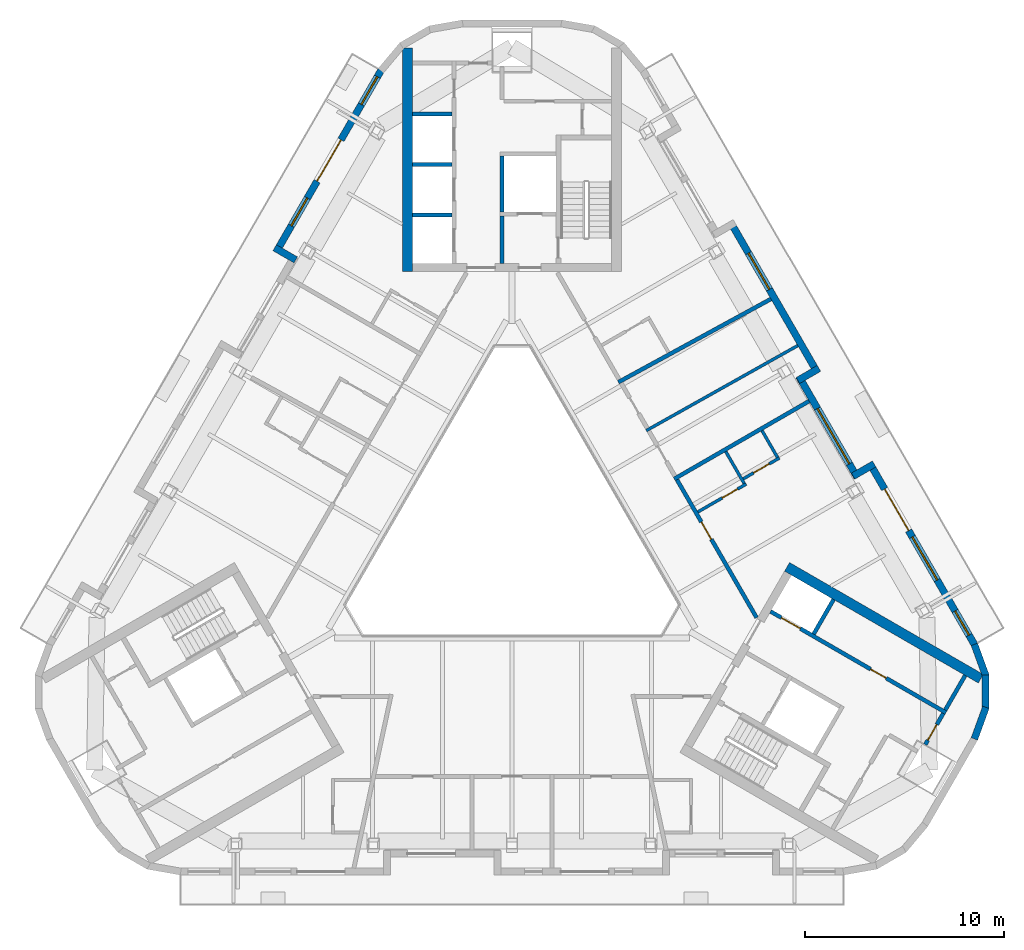
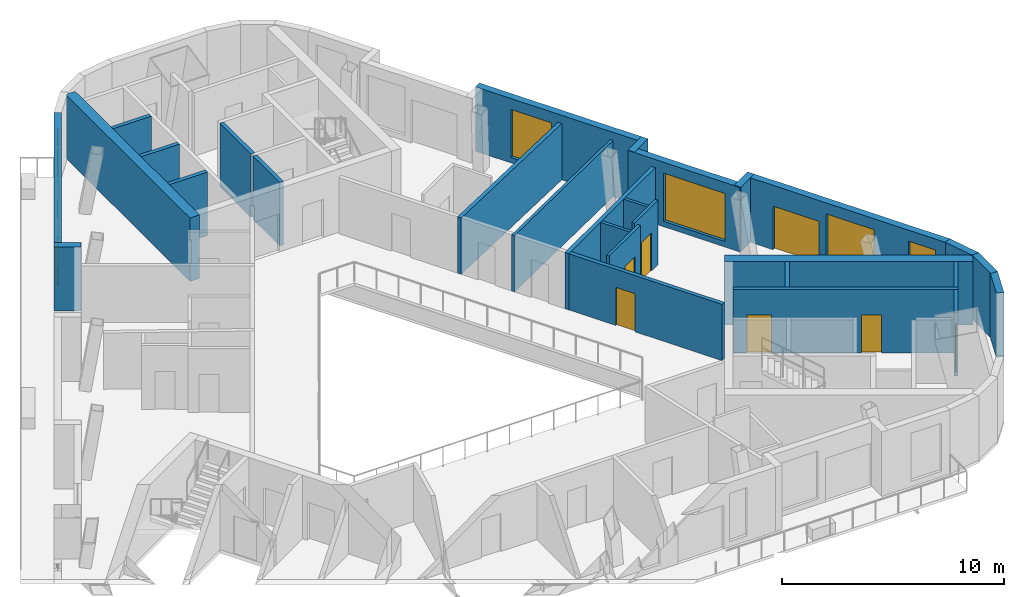
# One storey, part 6 of 13: 29 walls, 8 doors, 6 windows, 14 openings.
"""IFC4 building model written with IfcOpenShell, lengths in metres."""

from ifc_helpers import new_model, si_unit, direction, frame, frame_2d, origin, place, context, subcontext, project, spatial, rectangle, extrude, material, layer, layer_set, type_object, element, fill, save


model = new_model("IFC4")

# Units and contexts
model_context = context("Model", 3, precision=1e-05, world=origin(), true_north=direction((0.0, 1.0)))
body_context = subcontext(model_context, "Body", "Model", "MODEL_VIEW")
ifc_project = project(units=[si_unit("LENGTHUNIT", "METRE"), si_unit("AREAUNIT", "SQUARE_METRE"), si_unit("VOLUMEUNIT", "CUBIC_METRE"), si_unit("PLANEANGLEUNIT", "RADIAN"), si_unit("MASSUNIT", "GRAM", prefix="KILO")], contexts=[model_context])

# Site, building, storey
site_placement = place(None, origin())
site = spatial("IfcSite", under=ifc_project, at=site_placement, CompositionType="ELEMENT")
building_placement = place(site_placement, origin())
building = spatial("IfcBuilding", under=site, at=building_placement, Name="Apuvela Tower Hotel", CompositionType="ELEMENT")
storey_placement = place(building_placement, frame((0.0, 0.0, 298.5)))
storey = spatial("IfcBuildingStorey", under=building, at=storey_placement, Name="L74", CompositionType="ELEMENT", Elevation=298.5)

# Walls
ifc_material_1 = material(Name="Concrete C50/60", Category="concrete")
ifc_layer_1 = layer(ifc_material_1, 0.5)
ifc_layer_set_1 = layer_set([ifc_layer_1], Name="COR-WALL-CORE-500")
wall_type_1 = type_object("IfcWallType", Name="COR-WALL-CORE-500", PredefinedType="SHEAR", material=ifc_layer_set_1)
for number, where, z_axis, x_axis, name in (
    (1, (-5.25, 12.89990234375, 0.0), (0.0, 0.0, 1.0), (0.0, 1.0, 0.0), "Core wall N"),
    (2, (13.796630859375, -1.9033203125, 0.0), (0.0, 0.0, 1.0), (0.866025449148, -0.499999921427, 0.0), "Core wall SE"),
):
    element("IfcWall", number, at=place(storey_placement, frame(where, z_axis=z_axis, x_axis=x_axis)), inside=storey, type_object=wall_type_1, Name=name, PredefinedType="SHEAR", context=body_context, shape_type="SweptSolid", body=[
        extrude(rectangle(XDim=11.2216796875, YDim=0.5, at=frame_2d((5.61083984375, 0.0))), origin(), (0.0, 0.0, 1.0), 3.5),
    ])
ifc_layer_2 = layer(ifc_material_1, 0.199951171875)
ifc_layer_set_2 = layer_set([ifc_layer_2], Name="COR-WALL-SHAFT-200")
wall_type_2 = type_object("IfcWallType", Name="COR-WALL-SHAFT-200", PredefinedType="SHEAR", material=ifc_layer_set_2)
wall_1_placement = place(storey_placement, frame((-0.5, 15.89990234375, 0.0), z_axis=(0.0, 0.0, 1.0), x_axis=(0.0, 1.0, 0.0)))
element("IfcWall", 3, at=wall_1_placement, inside=storey, type_object=wall_type_2, Name="Shaft wall N", PredefinedType="SHEAR", context=body_context, shape_type="SweptSolid", body=[
    extrude(rectangle(XDim=2.800048828125, YDim=0.199951171875, at=frame_2d((1.39990234375, 0.0))), origin(), (0.0, 0.0, 1.0), 3.5),
])
wall_2_placement = place(storey_placement, frame((-0.5, 13.300048828125, 0.0), z_axis=(0.0, 0.0, 1.0), x_axis=(0.0, 1.0, 0.0)))
element("IfcWall", 4, at=wall_2_placement, inside=storey, type_object=wall_type_2, Name="Shaft wall N", PredefinedType="SHEAR", context=body_context, shape_type="SweptSolid", body=[
    extrude(rectangle(XDim=2.39990234375, YDim=0.199951171875, at=frame_2d((1.199951171875, 0.0))), origin(), (0.0, 0.0, 1.0), 3.5),
])
for number, where, z_axis, x_axis, name in (
    (5, (-3.0, 15.739990234375, 0.0), (0.0, 0.0, 1.0), (-1.0, 0.0, 0.0), "Shaft wall N"),
    (6, (-3.0, 18.280029296875, 0.0), (0.0, 0.0, 1.0), (-1.0, 0.0, 0.0), "Shaft wall N"),
    (7, (-3.0, 20.820068359375, 0.0), (0.0, 0.0, 1.0), (-1.0, 0.0, 0.0), "Shaft wall N"),
):
    element("IfcWall", number, at=place(storey_placement, frame(where, z_axis=z_axis, x_axis=x_axis)), inside=storey, type_object=wall_type_2, Name=name, PredefinedType="SHEAR", context=body_context, shape_type="SweptSolid", body=[
        extrude(rectangle(XDim=2.0, YDim=0.199951171875, at=frame_2d((1.0, 0.0))), origin(), (0.0, 0.0, 1.0), 3.5),
    ])

# Wall, openings, doors
wall_3_placement = place(storey_placement, frame((12.968017578125, -4.138427734375, 0.0), z_axis=(0.0, 0.0, 1.0), x_axis=(0.866028328073, -0.49999493495, 0.0)))
wall_3 = element("IfcWall", 8, at=wall_3_placement, inside=storey, type_object=wall_type_2, Name="Shaft wall SE", PredefinedType="SHEAR", context=body_context, shape_type="SweptSolid", body=[
    extrude(rectangle(XDim=10.16015625, YDim=0.199951171875, at=frame_2d((5.080078125, 0.0))), origin(), (0.0, 0.0, 1.0), 3.5),
])
opening_1_placement = place(wall_3_placement, frame((0.6201171875, 0.0, 0.0)))
opening_1 = element("IfcOpeningElement", 9, at=opening_1_placement, cuts=wall_3, Name="Opening E-LD-HR3", PredefinedType="OPENING", context=body_context, shape_type="SweptSolid", body=[
    extrude(rectangle(XDim=1.10009765625, YDim=2.10009765625, at=frame_2d((0.550048828125, 1.050048828125))), frame((0.0, 0.10986328125, 0.0), z_axis=(0.0, -1.0, 0.0), x_axis=(1.0, 0.0, 0.0)), (0.0, 0.0, 1.0), 0.219970703125),
])
opening_2_placement = place(wall_3_placement, frame((5.800048828125, 0.0, 0.0)))
opening_2 = element("IfcOpeningElement", 10, at=opening_2_placement, cuts=wall_3, Name="Opening E-RE2", PredefinedType="OPENING", context=body_context, shape_type="SweptSolid", body=[
    extrude(rectangle(XDim=0.89990234375, YDim=2.10009765625, at=frame_2d((0.449951171875, 1.050048828125))), frame((0.0, 0.10986328125, 0.0), z_axis=(0.0, -1.0, 0.0), x_axis=(1.0, 0.0, 0.0)), (0.0, 0.0, 1.0), 0.219970703125),
])
ifc_material_2 = material(Name="Steel fire door, powder coated", Category="steel")
door_type_1 = type_object("IfcDoorType", Name="COR-DR-900", OperationType="NOTDEFINED", PredefinedType="DOOR", material=ifc_material_2)
door_1_placement = place(opening_2_placement, origin())
door_1 = element("IfcDoor", 11, at=door_1_placement, inside=storey, type_object=door_type_1, Name="Store door E-RE2", OperationType="SINGLE_SWING_LEFT", OverallHeight=2.10009765625, OverallWidth=0.89990234375, PredefinedType="DOOR", context=body_context, shape_type="SweptSolid", body=[
    extrude(rectangle(XDim=0.89990234375, YDim=2.10009765625, at=frame_2d((0.449951171875, 1.050048828125))), frame((0.0, 0.02490234375, 0.0), z_axis=(0.0, -1.0, 0.0), x_axis=(1.0, 0.0, 0.0)), (0.0, 0.0, 1.0), 0.050048828125),
])
fill(opening_2, door_1)
ifc_material_3 = material(Name="Stainless steel lift landing door", Category="steel")
door_type_2 = type_object("IfcDoorType", Name="COR-LD-1100", OperationType="DOUBLE_DOOR_SLIDING", PredefinedType="DOOR", material=ifc_material_3)
door_2_placement = place(opening_1_placement, origin())
door_2 = element("IfcDoor", 12, at=door_2_placement, inside=storey, type_object=door_type_2, Name="Lift landing door E-LD-HR3", OperationType="DOUBLE_DOOR_SLIDING", OverallHeight=2.10009765625, OverallWidth=1.10009765625, PredefinedType="DOOR", context=body_context, shape_type="SweptSolid", body=[
    extrude(rectangle(XDim=1.10009765625, YDim=2.10009765625, at=frame_2d((0.550048828125, 1.050048828125))), frame((0.0, 0.02490234375, 0.0), z_axis=(0.0, -1.0, 0.0), x_axis=(1.0, 0.0, 0.0)), (0.0, 0.0, 1.0), 0.050048828125),
])
fill(opening_1, door_2)

# Wall, opening, door
wall_4_placement = place(storey_placement, frame((20.73046875, -10.81396484375, 0.0), z_axis=(0.0, 0.0, 1.0), x_axis=(0.499961193289, 0.866047807691, 0.0)))
wall_4 = element("IfcWall", 13, at=wall_4_placement, inside=storey, type_object=wall_type_2, Name="Shaft wall SE", PredefinedType="SHEAR", context=body_context, shape_type="SweptSolid", body=[
    extrude(rectangle(XDim=1.800048828125, YDim=0.199951171875, at=frame_2d((0.89990234375, 0.0))), origin(), (0.0, 0.0, 1.0), 3.5),
])
opening_3_placement = place(wall_4_placement, frame((0.25, 0.0, 0.0)))
opening_3 = element("IfcOpeningElement", 14, at=opening_3_placement, cuts=wall_4, Name="Opening E-REP", PredefinedType="OPENING", context=body_context, shape_type="SweptSolid", body=[
    extrude(rectangle(XDim=0.89990234375, YDim=2.10009765625, at=frame_2d((0.449951171875, 1.050048828125))), frame((0.0, 0.10986328125, 0.0), z_axis=(0.0, -1.0, 0.0), x_axis=(1.0, 0.0, 0.0)), (0.0, 0.0, 1.0), 0.219970703125),
])
door_3_placement = place(opening_3_placement, frame((0.89990234375, 0.0, 0.0), z_axis=(0.0, 0.0, 1.0), x_axis=(-1.0, 0.0, 0.0)))
door_3 = element("IfcDoor", 15, at=door_3_placement, inside=storey, type_object=door_type_1, Name="Store door E-REP", OperationType="SINGLE_SWING_RIGHT", OverallHeight=2.10009765625, OverallWidth=0.89990234375, PredefinedType="DOOR", context=body_context, shape_type="SweptSolid", body=[
    extrude(rectangle(XDim=0.89990234375, YDim=2.10009765625, at=frame_2d((0.449951171875, 1.050048828125))), frame((0.0, 0.02490234375, 0.0), z_axis=(0.0, -1.0, 0.0), x_axis=(1.0, 0.0, 0.0)), (0.0, 0.0, 1.0), 0.050048828125),
])
fill(opening_3, door_3)

# Walls
for number, where, z_axis, x_axis, name in (
    (16, (15.131103515625, -5.27197265625, 0.0), (0.0, 0.0, 1.0), (0.499972520799, 0.866041268327, 0.0), "Shaft wall SE"),
    (17, (21.73046875, -9.081787109375, 0.0), (0.0, 0.0, 1.0), (0.50002537861, 0.866010750942, 0.0), "Shaft wall SE"),
):
    element("IfcWall", number, at=place(storey_placement, frame(where, z_axis=z_axis, x_axis=x_axis)), inside=storey, type_object=wall_type_2, Name=name, PredefinedType="SHEAR", context=body_context, shape_type="SweptSolid", body=[
        extrude(rectangle(XDim=2.0, YDim=0.199951171875, at=frame_2d((1.0, 0.0))), origin(), (0.0, 0.0, 1.0), 3.5),
    ])

# Wall, openings, door, windows
ifc_material_4 = material(Name="Concrete C40/50, dark pigmented precast panel", Category="concrete")
ifc_layer_3 = layer(ifc_material_4, 0.35009765625)
ifc_layer_set_3 = layer_set([ifc_layer_3], Name="ENV-WALL-350")
wall_type_3 = type_object("IfcWallType", Name="ENV-WALL-350", PredefinedType="SOLIDWALL", material=ifc_layer_set_3)
wall_5_placement = place(storey_placement, frame((-6.563232421875, 23.00537109375, 0.0), z_axis=(0.0, 0.0, 1.0), x_axis=(-0.500010118922, -0.866019561543, 0.0)))
wall_5 = element("IfcWall", 18, at=wall_5_placement, inside=storey, type_object=wall_type_3, Name="External wall L74-01", PredefinedType="SOLIDWALL", context=body_context, shape_type="SweptSolid", body=[
    extrude(rectangle(XDim=10.554443359375, YDim=0.35009765625, at=frame_2d((5.27734375, 0.0))), origin(), (0.0, 0.0, 1.0), 3.550048828125),
])
opening_4_placement = place(wall_5_placement, frame((0.380126953125, 0.0, 0.300048828125)))
opening_4 = element("IfcOpeningElement", 19, at=opening_4_placement, cuts=wall_5, Name="Opening WN16", PredefinedType="OPENING", context=body_context, shape_type="SweptSolid", body=[
    extrude(rectangle(XDim=1.60009765625, YDim=2.64990234375, at=frame_2d((0.800048828125, 1.324951171875))), frame((0.0, 0.18505859375, 0.0), z_axis=(0.0, -1.0, 0.0), x_axis=(1.0, 0.0, 0.0)), (0.0, 0.0, 1.0), 0.3701171875),
])
opening_5_placement = place(wall_5_placement, frame((4.029052734375, 0.0, 0.0)))
opening_5 = element("IfcOpeningElement", 20, at=opening_5_placement, cuts=wall_5, Name="Opening BD24", PredefinedType="OPENING", context=body_context, shape_type="SweptSolid", body=[
    extrude(rectangle(XDim=2.39990234375, YDim=2.39990234375, at=frame_2d((1.199951171875, 1.199951171875))), frame((0.0, 0.18505859375, 0.0), z_axis=(0.0, -1.0, 0.0), x_axis=(1.0, 0.0, 0.0)), (0.0, 0.0, 1.0), 0.3701171875),
])
opening_6_placement = place(wall_5_placement, frame((7.404052734375, 0.0, 0.300048828125)))
opening_6 = element("IfcOpeningElement", 21, at=opening_6_placement, cuts=wall_5, Name="Opening WN16", PredefinedType="OPENING", context=body_context, shape_type="SweptSolid", body=[
    extrude(rectangle(XDim=1.60009765625, YDim=2.64990234375, at=frame_2d((0.800048828125, 1.324951171875))), frame((0.0, 0.18505859375, 0.0), z_axis=(0.0, -1.0, 0.0), x_axis=(1.0, 0.0, 0.0)), (0.0, 0.0, 1.0), 0.3701171875),
])
ifc_material_5 = material(Name="Aluminium 6063-T6, dark bronze anodised frame with dark tinted laminated glass", Category="aluminium")
door_type_3 = type_object("IfcDoorType", Name="ENV-DOOR-BALCONY-2400x2400", OperationType="SLIDING_TO_LEFT", PredefinedType="DOOR", material=ifc_material_5)
door_4_placement = place(opening_5_placement, frame((2.39990234375, 0.0, 0.0), z_axis=(0.0, 0.0, 1.0), x_axis=(-1.0, 0.0, 0.0)))
door_4 = element("IfcDoor", 22, at=door_4_placement, inside=storey, type_object=door_type_3, Name="Balcony door BD24", OperationType="SLIDING_TO_LEFT", OverallHeight=2.39990234375, OverallWidth=2.39990234375, PredefinedType="DOOR", context=body_context, shape_type="SweptSolid", body=[
    extrude(rectangle(XDim=2.39990234375, YDim=2.39990234375, at=frame_2d((1.199951171875, 1.199951171875))), frame((0.0, 0.02490234375, 0.0), z_axis=(0.0, -1.0, 0.0), x_axis=(1.0, 0.0, 0.0)), (0.0, 0.0, 1.0), 0.050048828125),
])
fill(opening_5, door_4)
ifc_material_6 = material(Name="Glass, dark tinted laminated insulated glazing unit", Category="glass")
window_type_1 = type_object("IfcWindowType", Name="ENV-WIN-1600x2650", PartitioningType="SINGLE_PANEL", PredefinedType="WINDOW", material=ifc_material_6)
window_1_placement = place(opening_4_placement, origin())
window_1 = element("IfcWindow", 23, at=window_1_placement, inside=storey, type_object=window_type_1, Name="Window WN16", OverallHeight=2.64990234375, OverallWidth=1.60009765625, PartitioningType="SINGLE_PANEL", PredefinedType="WINDOW", context=body_context, shape_type="SweptSolid", body=[
    extrude(rectangle(XDim=1.60009765625, YDim=2.64990234375, at=frame_2d((0.800048828125, 1.324951171875))), frame((0.0, 0.030029296875, 0.0), z_axis=(0.0, -1.0, 0.0), x_axis=(1.0, 0.0, 0.0)), (0.0, 0.0, 1.0), 0.06005859375),
])
fill(opening_4, window_1)
window_2_placement = place(opening_6_placement, origin())
window_2 = element("IfcWindow", 24, at=window_2_placement, inside=storey, type_object=window_type_1, Name="Window WN16", OverallHeight=2.64990234375, OverallWidth=1.60009765625, PartitioningType="SINGLE_PANEL", PredefinedType="WINDOW", context=body_context, shape_type="SweptSolid", body=[
    extrude(rectangle(XDim=1.60009765625, YDim=2.64990234375, at=frame_2d((0.800048828125, 1.324951171875))), frame((0.0, 0.030029296875, 0.0), z_axis=(0.0, -1.0, 0.0), x_axis=(1.0, 0.0, 0.0)), (0.0, 0.0, 1.0), 0.06005859375),
])
fill(opening_6, window_2)

# Walls
wall_6_placement = place(storey_placement, frame((-11.904541015625, 14.10400390625, 0.0), z_axis=(0.0, 0.0, 1.0), x_axis=(0.866005645448, -0.500034220881, 0.0)))
element("IfcWall", 25, at=wall_6_placement, inside=storey, type_object=wall_type_3, Name="External wall L74-02", PredefinedType="SOLIDWALL", context=body_context, shape_type="SweptSolid", body=[
    extrude(rectangle(XDim=1.22021484375, YDim=0.35009765625, at=frame_2d((0.610107421875, 0.0))), origin(), (0.0, 0.0, 1.0), 3.550048828125),
])
for number, where, z_axis, x_axis, name in (
    (26, (23.19189453125, -10.535888671875, 0.0), (0.0, 0.0, 1.0), (0.342033102914, 0.93968790378, 0.0), "External wall L74-30"),
    (27, (23.75927734375, -9.008056640625, 0.0), (0.0, 0.0, 1.0), (0.0, 1.0, 0.0), "External wall L74-31"),
    (28, (23.769775390625, -7.378662109375, 0.0), (0.0, 0.0, 1.0), (-0.342033102914, 0.93968790378, 0.0), "External wall L74-32"),
):
    element("IfcWall", number, at=place(storey_placement, frame(where, z_axis=z_axis, x_axis=x_axis)), inside=storey, type_object=wall_type_3, Name=name, PredefinedType="SOLIDWALL", context=body_context, shape_type="SweptSolid", body=[
        extrude(rectangle(XDim=1.689453125, YDim=0.35009765625, at=frame_2d((0.8447265625, 0.0))), origin(), (0.0, 0.0, 1.0), 3.550048828125),
    ])

# Wall, openings, door, windows
wall_7_placement = place(storey_placement, frame((23.204833984375, -5.818603515625, 0.0), z_axis=(0.0, 0.0, 1.0), x_axis=(-0.500010118922, 0.866019561543, 0.0)))
wall_7 = element("IfcWall", 29, at=wall_7_placement, inside=storey, type_object=wall_type_3, Name="External wall L74-33", PredefinedType="SOLIDWALL", context=body_context, shape_type="SweptSolid", body=[
    extrude(rectangle(XDim=10.554443359375, YDim=0.35009765625, at=frame_2d((5.27734375, 0.0))), origin(), (0.0, 0.0, 1.0), 3.550048828125),
])
opening_7_placement = place(wall_7_placement, frame((0.56640625, 0.0, 0.300048828125)))
opening_7 = element("IfcOpeningElement", 30, at=opening_7_placement, cuts=wall_7, Name="Opening WN14", PredefinedType="OPENING", context=body_context, shape_type="SweptSolid", body=[
    extrude(rectangle(XDim=1.39990234375, YDim=2.64990234375, at=frame_2d((0.699951171875, 1.324951171875))), frame((0.0, 0.18505859375, 0.0), z_axis=(0.0, -1.0, 0.0), x_axis=(1.0, 0.0, 0.0)), (0.0, 0.0, 1.0), 0.3701171875),
])
opening_8_placement = place(wall_7_placement, frame((6.626220703125, 0.0, 0.0)))
opening_8 = element("IfcOpeningElement", 31, at=opening_8_placement, cuts=wall_7, Name="Opening BD24", PredefinedType="OPENING", context=body_context, shape_type="SweptSolid", body=[
    extrude(rectangle(XDim=2.39990234375, YDim=2.39990234375, at=frame_2d((1.199951171875, 1.199951171875))), frame((0.0, 0.18505859375, 0.0), z_axis=(0.0, -1.0, 0.0), x_axis=(1.0, 0.0, 0.0)), (0.0, 0.0, 1.0), 0.3701171875),
])
opening_9_placement = place(wall_7_placement, frame((3.75390625, 0.0, 0.300048828125)))
opening_9 = element("IfcOpeningElement", 32, at=opening_9_placement, cuts=wall_7, Name="Opening WN25", PredefinedType="OPENING", context=body_context, shape_type="SweptSolid", body=[
    extrude(rectangle(XDim=2.5, YDim=2.64990234375, at=frame_2d((1.25, 1.324951171875))), frame((0.0, 0.18505859375, 0.0), z_axis=(0.0, -1.0, 0.0), x_axis=(1.0, 0.0, 0.0)), (0.0, 0.0, 1.0), 0.3701171875),
])
door_5_placement = place(opening_8_placement, frame((2.39990234375, 0.0, 0.0), z_axis=(0.0, 0.0, 1.0), x_axis=(-1.0, 0.0, 0.0)))
door_5 = element("IfcDoor", 33, at=door_5_placement, inside=storey, type_object=door_type_3, Name="Balcony door BD24", OperationType="SLIDING_TO_LEFT", OverallHeight=2.39990234375, OverallWidth=2.39990234375, PredefinedType="DOOR", context=body_context, shape_type="SweptSolid", body=[
    extrude(rectangle(XDim=2.39990234375, YDim=2.39990234375, at=frame_2d((1.199951171875, 1.199951171875))), frame((0.0, 0.02490234375, 0.0), z_axis=(0.0, -1.0, 0.0), x_axis=(1.0, 0.0, 0.0)), (0.0, 0.0, 1.0), 0.050048828125),
])
fill(opening_8, door_5)
window_type_2 = type_object("IfcWindowType", Name="ENV-WIN-1400x2650", PartitioningType="SINGLE_PANEL", PredefinedType="WINDOW", material=ifc_material_6)
window_3_placement = place(opening_7_placement, origin())
window_3 = element("IfcWindow", 34, at=window_3_placement, inside=storey, type_object=window_type_2, Name="Window WN14", OverallHeight=2.64990234375, OverallWidth=1.39990234375, PartitioningType="SINGLE_PANEL", PredefinedType="WINDOW", context=body_context, shape_type="SweptSolid", body=[
    extrude(rectangle(XDim=1.39990234375, YDim=2.64990234375, at=frame_2d((0.699951171875, 1.324951171875))), frame((0.0, 0.030029296875, 0.0), z_axis=(0.0, -1.0, 0.0), x_axis=(1.0, 0.0, 0.0)), (0.0, 0.0, 1.0), 0.06005859375),
])
fill(opening_7, window_3)
window_type_3 = type_object("IfcWindowType", Name="ENV-WIN-2500x2650", PartitioningType="SINGLE_PANEL", PredefinedType="WINDOW", material=ifc_material_6)
window_4_placement = place(opening_9_placement, origin())
window_4 = element("IfcWindow", 35, at=window_4_placement, inside=storey, type_object=window_type_3, Name="Window WN25", OverallHeight=2.64990234375, OverallWidth=2.5, PartitioningType="SINGLE_PANEL", PredefinedType="WINDOW", context=body_context, shape_type="SweptSolid", body=[
    extrude(rectangle(XDim=2.5, YDim=2.64990234375, at=frame_2d((1.25, 1.324951171875))), frame((0.0, 0.030029296875, 0.0), z_axis=(0.0, -1.0, 0.0), x_axis=(1.0, 0.0, 0.0)), (0.0, 0.0, 1.0), 0.06005859375),
])
fill(opening_9, window_4)

# Wall
wall_8_placement = place(storey_placement, frame((18.166748046875, 3.2578125, 0.0), z_axis=(0.0, 0.0, 1.0), x_axis=(-0.866005645448, -0.500034220881, 0.0)))
element("IfcWall", 36, at=wall_8_placement, inside=storey, type_object=wall_type_3, Name="External wall L74-34", PredefinedType="SOLIDWALL", context=body_context, shape_type="SweptSolid", body=[
    extrude(rectangle(XDim=1.22021484375, YDim=0.35009765625, at=frame_2d((0.610107421875, 0.0))), origin(), (0.0, 0.0, 1.0), 3.550048828125),
])

# Wall, opening, window
wall_9_placement = place(storey_placement, frame((17.30810546875, 2.5947265625, 0.0), z_axis=(0.0, 0.0, 1.0), x_axis=(-0.500005339912, 0.866022320763, 0.0)))
wall_9 = element("IfcWall", 37, at=wall_9_placement, inside=storey, type_object=wall_type_3, Name="External wall L74-35", PredefinedType="SOLIDWALL", context=body_context, shape_type="SweptSolid", body=[
    extrude(rectangle(XDim=5.8271484375, YDim=0.35009765625, at=frame_2d((2.91357421875, 0.0))), origin(), (0.0, 0.0, 1.0), 3.550048828125),
])
opening_10_placement = place(wall_9_placement, frame((0.77001953125, 0.0, 0.300048828125)))
opening_10 = element("IfcOpeningElement", 38, at=opening_10_placement, cuts=wall_9, Name="Opening WN32", PredefinedType="OPENING", context=body_context, shape_type="SweptSolid", body=[
    extrude(rectangle(XDim=3.199951171875, YDim=2.64990234375, at=frame_2d((1.60009765625, 1.324951171875))), frame((0.0, 0.18505859375, 0.0), z_axis=(0.0, -1.0, 0.0), x_axis=(1.0, 0.0, 0.0)), (0.0, 0.0, 1.0), 0.3701171875),
])
window_type_4 = type_object("IfcWindowType", Name="ENV-WIN-3200x2650", PartitioningType="SINGLE_PANEL", PredefinedType="WINDOW", material=ifc_material_6)
window_5_placement = place(opening_10_placement, origin())
window_5 = element("IfcWindow", 39, at=window_5_placement, inside=storey, type_object=window_type_4, Name="Window WN32", OverallHeight=2.64990234375, OverallWidth=3.199951171875, PartitioningType="SINGLE_PANEL", PredefinedType="WINDOW", context=body_context, shape_type="SweptSolid", body=[
    extrude(rectangle(XDim=3.199951171875, YDim=2.64990234375, at=frame_2d((1.60009765625, 1.324951171875))), frame((0.0, 0.030029296875, 0.0), z_axis=(0.0, -1.0, 0.0), x_axis=(1.0, 0.0, 0.0)), (0.0, 0.0, 1.0), 0.06005859375),
])
fill(opening_10, window_5)

# Wall
wall_10_placement = place(storey_placement, frame((14.341552734375, 7.443115234375, 0.0), z_axis=(0.0, 0.0, 1.0), x_axis=(0.866092288191, 0.499884134912, 0.0)))
element("IfcWall", 40, at=wall_10_placement, inside=storey, type_object=wall_type_3, Name="External wall L74-36", PredefinedType="SOLIDWALL", context=body_context, shape_type="SweptSolid", body=[
    extrude(rectangle(XDim=1.219970703125, YDim=0.35009765625, at=frame_2d((0.60986328125, 0.0))), origin(), (0.0, 0.0, 1.0), 3.550048828125),
])

# Wall, opening, window
wall_11_placement = place(storey_placement, frame((15.333984375, 7.81396484375, 0.0), z_axis=(0.0, 0.0, 1.0), x_axis=(-0.499999835575, 0.866025498715, 0.0)))
wall_11 = element("IfcWall", 41, at=wall_11_placement, inside=storey, type_object=wall_type_3, Name="External wall L74-37", PredefinedType="SOLIDWALL", context=body_context, shape_type="SweptSolid", body=[
    extrude(rectangle(XDim=8.787109375, YDim=0.35009765625, at=frame_2d((4.3935546875, 0.0))), origin(), (0.0, 0.0, 1.0), 3.550048828125),
])
opening_11_placement = place(wall_11_placement, frame((4.84375, 0.0, 0.300048828125)))
opening_11 = element("IfcOpeningElement", 42, at=opening_11_placement, cuts=wall_11, Name="Opening WN21", PredefinedType="OPENING", context=body_context, shape_type="SweptSolid", body=[
    extrude(rectangle(XDim=2.10009765625, YDim=2.64990234375, at=frame_2d((1.050048828125, 1.324951171875))), frame((0.0, 0.18505859375, 0.0), z_axis=(0.0, -1.0, 0.0), x_axis=(1.0, 0.0, 0.0)), (0.0, 0.0, 1.0), 0.3701171875),
])
window_type_5 = type_object("IfcWindowType", Name="ENV-WIN-2100x2650", PartitioningType="SINGLE_PANEL", PredefinedType="WINDOW", material=ifc_material_6)
window_6_placement = place(opening_11_placement, origin())
window_6 = element("IfcWindow", 43, at=window_6_placement, inside=storey, type_object=window_type_5, Name="Window WN21", OverallHeight=2.64990234375, OverallWidth=2.10009765625, PartitioningType="SINGLE_PANEL", PredefinedType="WINDOW", context=body_context, shape_type="SweptSolid", body=[
    extrude(rectangle(XDim=2.10009765625, YDim=2.64990234375, at=frame_2d((1.050048828125, 1.324951171875))), frame((0.0, 0.030029296875, 0.0), z_axis=(0.0, -1.0, 0.0), x_axis=(1.0, 0.0, 0.0)), (0.0, 0.0, 1.0), 0.06005859375),
])
fill(opening_11, window_6)

# Walls
ifc_material_7 = material(Name="Gypsum board partition on twin steel stud", Category="steel")
ifc_layer_4 = layer(ifc_material_7, 0.199951171875)
ifc_layer_set_4 = layer_set([ifc_layer_4], Name="GST-PW1")
wall_type_4 = type_object("IfcWallType", Name="GST-PW1", PredefinedType="PARTITIONING", material=ifc_layer_set_4)
wall_12_placement = place(storey_placement, frame((14.903076171875, 6.410400390625, 0.0), z_axis=(0.0, 0.0, 1.0), x_axis=(-0.866030491634, -0.499991187483, 0.0)))
element("IfcWall", 44, at=wall_12_placement, inside=storey, type_object=wall_type_4, Name="L74 partition 05", PredefinedType="PARTITIONING", context=body_context, shape_type="SweptSolid", body=[
    extrude(rectangle(XDim=7.811767578125, YDim=0.199951171875, at=frame_2d((3.90576171875, 0.0))), origin(), (0.0, 0.0, 1.0), 3.10009765625),
])
wall_13_placement = place(storey_placement, frame((12.985595703125, 11.53125, 0.0), z_axis=(0.0, 0.0, 1.0), x_axis=(-0.877887007044, -0.478867834442, 0.0)))
element("IfcWall", 45, at=wall_13_placement, inside=storey, type_object=wall_type_4, Name="L74 partition 06", PredefinedType="PARTITIONING", context=body_context, shape_type="SweptSolid", body=[
    extrude(rectangle(XDim=8.714111328125, YDim=0.199951171875, at=frame_2d((4.35693359375, 0.0))), origin(), (0.0, 0.0, 1.0), 3.10009765625),
])

# Wall, opening, door
ifc_material_8 = material(Name="Gypsum board corridor wall on twin steel stud, acoustic", Category="steel")
ifc_layer_5 = layer(ifc_material_8, 0.199951171875)
ifc_layer_set_5 = layer_set([ifc_layer_5], Name="GST-PW2")
wall_type_5 = type_object("IfcWallType", Name="GST-PW2", PredefinedType="PARTITIONING", material=ifc_layer_set_5)
wall_14_placement = place(storey_placement, frame((8.274658203125, 2.468017578125, 0.0), z_axis=(0.0, 0.0, 1.0), x_axis=(0.500004647933, -0.866022720283, 0.0)))
wall_14 = element("IfcWall", 46, at=wall_14_placement, inside=storey, type_object=wall_type_5, Name="L74 partition 20", PredefinedType="PARTITIONING", context=body_context, shape_type="SweptSolid", body=[
    extrude(rectangle(XDim=7.98828125, YDim=0.199951171875, at=frame_2d((3.994140625, 0.0))), origin(), (0.0, 0.0, 1.0), 3.10009765625),
])
opening_12_placement = place(wall_14_placement, frame((2.449951171875, 0.0, 0.0)))
opening_12 = element("IfcOpeningElement", 47, at=opening_12_placement, cuts=wall_14, Name="Opening GD30-10", PredefinedType="OPENING", context=body_context, shape_type="SweptSolid", body=[
    extrude(rectangle(XDim=1.0, YDim=2.10009765625, at=frame_2d((0.5, 1.050048828125))), frame((0.0, 0.10986328125, 0.0), z_axis=(0.0, -1.0, 0.0), x_axis=(1.0, 0.0, 0.0)), (0.0, 0.0, 1.0), 0.219970703125),
])
ifc_material_9 = material(Name="Timber door leaf in steel frame", Category="steel")
door_type_4 = type_object("IfcDoorType", Name="GST-D1", OperationType="NOTDEFINED", PredefinedType="DOOR", material=ifc_material_9)
door_6_placement = place(opening_12_placement, origin())
door_6 = element("IfcDoor", 48, at=door_6_placement, inside=storey, type_object=door_type_4, Name="Door L74-10", OperationType="SINGLE_SWING_RIGHT", OverallHeight=2.10009765625, OverallWidth=1.0, PredefinedType="DOOR", context=body_context, shape_type="SweptSolid", body=[
    extrude(rectangle(XDim=1.0, YDim=2.10009765625, at=frame_2d((0.5, 1.050048828125))), frame((0.0, 0.02490234375, 0.0), z_axis=(0.0, -1.0, 0.0), x_axis=(1.0, 0.0, 0.0)), (0.0, 0.0, 1.0), 0.050048828125),
])
fill(opening_12, door_6)

ifc_material_10 = material(Name="Moisture-resistant gypsum board wet wall on steel stud", Category="steel")
ifc_layer_6 = layer(ifc_material_10, 0.14990234375)
ifc_layer_set_6 = layer_set([ifc_layer_6], Name="GST-PW3")
wall_type_6 = type_object("IfcWallType", Name="GST-PW3", PredefinedType="PARTITIONING", material=ifc_layer_set_6)
wall_15_placement = place(storey_placement, frame((9.32373046875, 0.850830078125, 0.0), z_axis=(0.0, 0.0, 1.0), x_axis=(0.865996816683, 0.500049511043, 0.0)))
wall_15 = element("IfcWall", 49, at=wall_15_placement, inside=storey, type_object=wall_type_6, Name="L74 partition 21", PredefinedType="PARTITIONING", context=body_context, shape_type="SweptSolid", body=[
    extrude(rectangle(XDim=2.800048828125, YDim=0.14990234375, at=frame_2d((1.39990234375, 0.0))), origin(), (0.0, 0.0, 1.0), 3.550048828125),
])
opening_13_placement = place(wall_15_placement, frame((1.39990234375, 0.0, 0.0)))
opening_13 = element("IfcOpeningElement", 50, at=opening_13_placement, cuts=wall_15, Name="Opening GD30-08", PredefinedType="OPENING", context=body_context, shape_type="SweptSolid", body=[
    extrude(rectangle(XDim=0.89990234375, YDim=2.10009765625, at=frame_2d((0.449951171875, 1.050048828125))), frame((0.0, 0.0849609375, 0.0), z_axis=(0.0, -1.0, 0.0), x_axis=(1.0, 0.0, 0.0)), (0.0, 0.0, 1.0), 0.169921875),
])
door_type_5 = type_object("IfcDoorType", Name="GST-D2", OperationType="NOTDEFINED", PredefinedType="DOOR", material=ifc_material_9)
door_7_placement = place(opening_13_placement, origin())
door_7 = element("IfcDoor", 51, at=door_7_placement, inside=storey, type_object=door_type_5, Name="Door L74-08", OperationType="SINGLE_SWING_RIGHT", OverallHeight=2.10009765625, OverallWidth=0.89990234375, PredefinedType="DOOR", context=body_context, shape_type="SweptSolid", body=[
    extrude(rectangle(XDim=0.89990234375, YDim=2.10009765625, at=frame_2d((0.449951171875, 1.050048828125))), frame((0.0, 0.02490234375, 0.0), z_axis=(0.0, -1.0, 0.0), x_axis=(1.0, 0.0, 0.0)), (0.0, 0.0, 1.0), 0.050048828125),
])
fill(opening_13, door_7)

# Wall
wall_16_placement = place(storey_placement, frame((11.64599609375, 2.2783203125, 0.0), z_axis=(0.0, 0.0, 1.0), x_axis=(-0.49994333299, 0.866058118026, 0.0)))
element("IfcWall", 52, at=wall_16_placement, inside=storey, type_object=wall_type_6, Name="L74 partition 22", PredefinedType="PARTITIONING", context=body_context, shape_type="SweptSolid", body=[
    extrude(rectangle(XDim=1.849853515625, YDim=0.14990234375, at=frame_2d((0.9248046875, 0.0))), origin(), (0.0, 0.0, 1.0), 3.10009765625),
])

# Wall, opening, door
wall_17_placement = place(storey_placement, frame((11.5986328125, 2.5107421875, 0.0), z_axis=(0.0, 0.0, 1.0), x_axis=(0.866009402589, 0.500027713859, 0.0)))
wall_17 = element("IfcWall", 53, at=wall_17_placement, inside=storey, type_object=wall_type_6, Name="L74 partition 23", PredefinedType="PARTITIONING", context=body_context, shape_type="SweptSolid", body=[
    extrude(rectangle(XDim=2.10009765625, YDim=0.14990234375, at=frame_2d((1.050048828125, 0.0))), origin(), (0.0, 0.0, 1.0), 3.550048828125),
])
opening_14_placement = place(wall_17_placement, frame((0.60009765625, 0.0, 0.0)))
opening_14 = element("IfcOpeningElement", 54, at=opening_14_placement, cuts=wall_17, Name="Opening GD30-09", PredefinedType="OPENING", context=body_context, shape_type="SweptSolid", body=[
    extrude(rectangle(XDim=0.89990234375, YDim=2.10009765625, at=frame_2d((0.449951171875, 1.050048828125))), frame((0.0, 0.0849609375, 0.0), z_axis=(0.0, -1.0, 0.0), x_axis=(1.0, 0.0, 0.0)), (0.0, 0.0, 1.0), 0.169921875),
])
door_8_placement = place(opening_14_placement, origin())
door_8 = element("IfcDoor", 55, at=door_8_placement, inside=storey, type_object=door_type_5, Name="Door L74-09", OperationType="SINGLE_SWING_RIGHT", OverallHeight=2.10009765625, OverallWidth=0.89990234375, PredefinedType="DOOR", context=body_context, shape_type="SweptSolid", body=[
    extrude(rectangle(XDim=0.89990234375, YDim=2.10009765625, at=frame_2d((0.449951171875, 1.050048828125))), frame((0.0, 0.02490234375, 0.0), z_axis=(0.0, -1.0, 0.0), x_axis=(1.0, 0.0, 0.0)), (0.0, 0.0, 1.0), 0.050048828125),
])
fill(opening_14, door_8)

# Walls
wall_18_placement = place(storey_placement, frame((13.314697265625, 3.588134765625, 0.0), z_axis=(0.0, 0.0, 1.0), x_axis=(-0.499967891604, 0.866043940782, 0.0)))
element("IfcWall", 56, at=wall_18_placement, inside=storey, type_object=wall_type_6, Name="L74 partition 24", PredefinedType="PARTITIONING", context=body_context, shape_type="SweptSolid", body=[
    extrude(rectangle(XDim=1.5498046875, YDim=0.14990234375, at=frame_2d((0.77490234375, 0.0))), origin(), (0.0, 0.0, 1.0), 3.10009765625),
])
wall_19_placement = place(storey_placement, frame((14.333984375, 9.19580078125, 0.0), z_axis=(0.0, 0.0, 1.0), x_axis=(-0.872016731473, -0.489476066863, 0.0)))
element("IfcWall", 57, at=wall_19_placement, inside=storey, type_object=wall_type_6, Name="L74 partition 25", PredefinedType="PARTITIONING", context=body_context, shape_type="SweptSolid", body=[
    extrude(rectangle(XDim=8.712158203125, YDim=0.14990234375, at=frame_2d((4.35595703125, 0.0))), origin(), (0.0, 0.0, 1.0), 3.10009765625),
])

save(model, "model.ifc")
